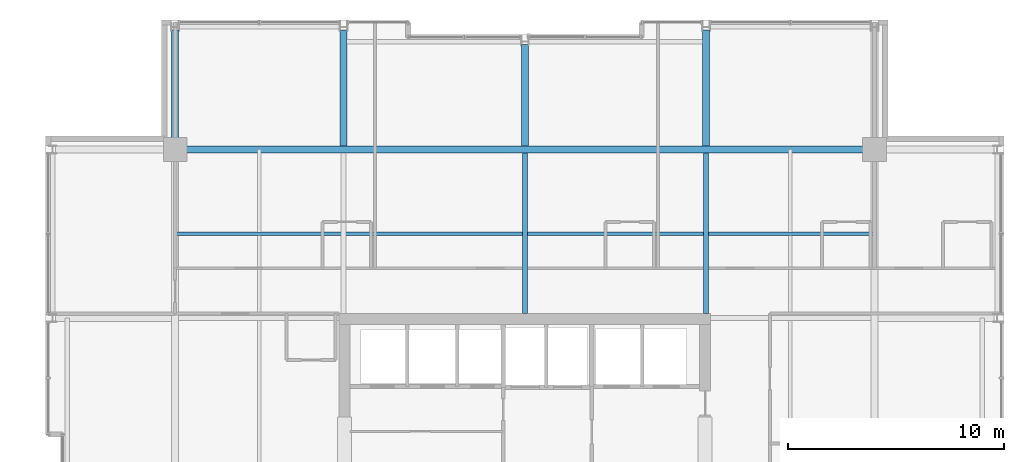
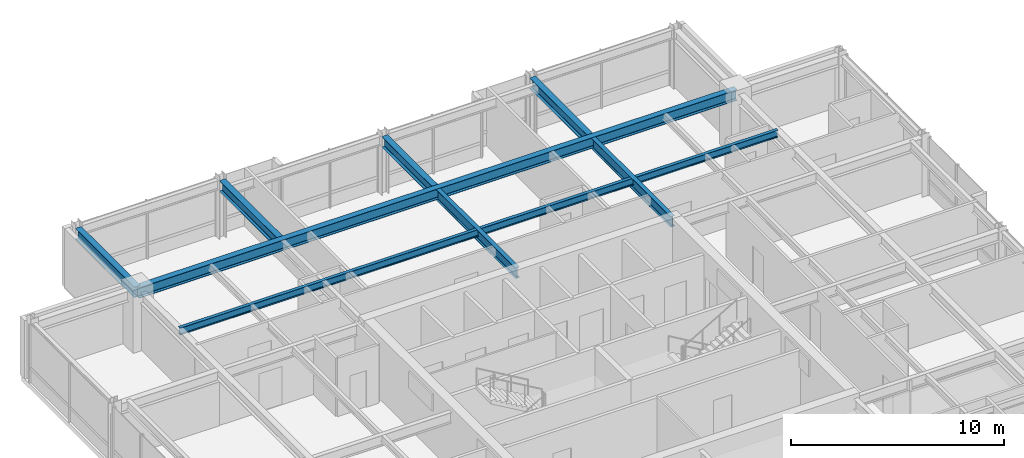
# One storey, part 19 of 32: 8 beams.
"""IFC4 building model written with IfcOpenShell, lengths in metres."""

import ifcopenshell
import ifcopenshell.guid

model = None  # the IFC model being written
_history = None  # IfcOwnerHistory: only IFC2X3 demands one
_inside = {}  # id of a spatial element -> (the spatial element, [elements in it])
_under = {}  # id of a project, library or spatial element -> (it, [spatial elements below it])
_declared = {}  # id of a project -> (the project, [libraries it declares])
_typed = {}  # id of a type object -> (the type object, [elements of that type])
_made_of = {}  # id of a material, layer set ... -> (it, [elements and type objects made of it])


def new_model(schema):
    """Start an empty IFC model of exactly this schema.

    Asked for "IFC4X3", IfcOpenShell would pick the latest addendum, in which some entities
    have other attributes; the version numbers below select the first issue.
    IFC2X3 requires an IfcOwnerHistory on every rooted entity: one is made here for all.
    """
    global model, _history
    if schema == "IFC4X3":
        model = ifcopenshell.file(schema_version=(4, 3, 0, 0))
    else:
        model = ifcopenshell.file(schema=schema)
    _inside.clear()
    _under.clear()
    _declared.clear()
    _typed.clear()
    _made_of.clear()
    _history = None
    if model.schema == "IFC2X3":
        org = make("IfcOrganization", Name="unknown")
        user = make(
            "IfcPersonAndOrganization",
            ThePerson=make("IfcPerson", FamilyName="unknown"),
            TheOrganization=org,
        )
        app = make(
            "IfcApplication",
            ApplicationDeveloper=org,
            Version="unknown",
            ApplicationFullName="unknown",
            ApplicationIdentifier="unknown",
        )
        _history = make(
            "IfcOwnerHistory",
            OwningUser=user,
            OwningApplication=app,
            ChangeAction="ADDED",
            CreationDate=0,
        )
    return model


def make(cls, **values):
    """One entity of the class cls with the attributes given. An attribute that is None is left unset."""
    return model.create_entity(
        cls, **{name: value for name, value in values.items() if value is not None}
    )


def rooted(cls, **values):
    """An entity with a GlobalId (a new one), such as an element, a storey or a relation."""
    return make(cls, GlobalId=ifcopenshell.guid.new(), OwnerHistory=_history, **values)


def si_unit(unit_type, name, prefix=None):
    """IfcSIUnit, for example si_unit("LENGTHUNIT", "METRE", prefix="MILLI")."""
    return make("IfcSIUnit", UnitType=unit_type, Prefix=prefix, Name=name)


def assignment(units):
    """IfcUnitAssignment: the units of a project."""
    return None if units is None else make("IfcUnitAssignment", Units=units)


def point(xyz):
    """IfcCartesianPoint."""
    return None if xyz is None else make("IfcCartesianPoint", Coordinates=xyz)


def direction(xyz):
    """IfcDirection."""
    return None if xyz is None else make("IfcDirection", DirectionRatios=xyz)


def frame(location, z_axis=None, x_axis=None):
    """IfcAxis2Placement3D, a coordinate frame: its origin and axes. An axis left out is left unset."""
    return make(
        "IfcAxis2Placement3D",
        Location=point(location),
        Axis=direction(z_axis),
        RefDirection=direction(x_axis),
    )


def frame_2d(location, x_axis=None):
    """IfcAxis2Placement2D, a coordinate frame in the plane: its origin and x axis."""
    return make(
        "IfcAxis2Placement2D", Location=point(location), RefDirection=direction(x_axis)
    )


def origin():
    """The frame at (0, 0, 0) with its axes left unset."""
    return frame((0.0, 0.0, 0.0))


def origin_2d():
    """The frame at (0, 0) in the plane with its x axis left unset."""
    return frame_2d((0.0, 0.0))


def place(relative_to, where):
    """IfcLocalPlacement: puts the frame where relative to a parent placement (None: the world)."""
    return make(
        "IfcLocalPlacement", PlacementRelTo=relative_to, RelativePlacement=where
    )


def context(
    kind, dimensions, precision=None, world=None, true_north=None, identifier=None
):
    """IfcGeometricRepresentationContext, for example the 3D "Model" context."""
    return make(
        "IfcGeometricRepresentationContext",
        ContextIdentifier=identifier,
        ContextType=kind,
        CoordinateSpaceDimension=dimensions,
        Precision=precision,
        WorldCoordinateSystem=world,
        TrueNorth=true_north,
    )


def subcontext(parent, identifier, kind, view, scale=None):
    """IfcGeometricRepresentationSubContext, for example "Body" below "Model"."""
    return make(
        "IfcGeometricRepresentationSubContext",
        ContextIdentifier=identifier,
        ContextType=kind,
        ParentContext=parent,
        TargetScale=scale,
        TargetView=view,
    )


def project(units=None, contexts=None):
    """IfcProject with its units and contexts."""
    return rooted(
        "IfcProject",
        Name="project",
        RepresentationContexts=contexts,
        UnitsInContext=assignment(units),
    )


def spatial(cls, under=None, at=None, **own):
    """A site, building, storey or space (cls), placed at a placement, below another one or the project."""
    s = rooted(cls, ObjectPlacement=at, **own)
    if under is not None:
        _under.setdefault(under.id(), (under, []))[1].append(s)
    return s


def profile(cls, at=None, kind="AREA", **sizes):
    """A parametric profile (cls). Its sizes go by their IFC names, for example OverallWidth=200.0."""
    return make(cls, ProfileType=kind, Position=at, **sizes)


def i_section(**sizes):
    """IfcIShapeProfileDef."""
    return profile("IfcIShapeProfileDef", **sizes)


def extrude(swept, where, along, depth):
    """IfcExtrudedAreaSolid: the profile swept, set in the frame where, extruded along a direction by depth."""
    return make(
        "IfcExtrudedAreaSolid",
        SweptArea=swept,
        Position=where,
        ExtrudedDirection=direction(along),
        Depth=depth,
    )


def shape(context_of_items, identifier, shape_type, items):
    """IfcShapeRepresentation: the items that make up one representation, for example the "Body"."""
    return make(
        "IfcShapeRepresentation",
        ContextOfItems=context_of_items,
        RepresentationIdentifier=identifier,
        RepresentationType=shape_type,
        Items=items,
    )


def material(Name=None, Category=None):
    """IfcMaterial."""
    return make("IfcMaterial", Name=Name, Category=Category)


def material_profile(
    of_material, cross_section, Name=None, Category=None, Priority=None
):
    """IfcMaterialProfile: a cross section and its material."""
    return make(
        "IfcMaterialProfile",
        Name=Name,
        Material=of_material,
        Profile=cross_section,
        Priority=Priority,
        Category=Category,
    )


def profile_set(profiles, Name=None, composite=None):
    """IfcMaterialProfileSet."""
    return make(
        "IfcMaterialProfileSet",
        Name=Name,
        MaterialProfiles=profiles,
        CompositeProfile=composite,
    )


def made_of(thing, what):
    """Note that an element or type object is made of a material, layer set ...; save() writes the relation."""
    if what is not None:
        _made_of.setdefault(what.id(), (what, []))[1].append(thing)
    return thing


def type_object(cls, material=None, **own):
    """A type object (cls), such as IfcWallType, which elements share."""
    return made_of(rooted(cls, **own), material)


def element(
    cls,
    number,
    at=None,
    inside=None,
    cuts=None,
    type_object=None,
    material=None,
    context=None,
    identifier="Body",
    shape_type=None,
    held_by="IfcProductDefinitionShape",
    body=None,
    shapes=None,
    **own,
):
    """One element of the class cls, such as IfcWall. Its Tag is "e" and its number.

    at: its placement. inside: the storey or other place that contains it. cuts: it is an
    opening in that element (IfcRelVoidsElement). A single representation is given by context,
    identifier, shape_type and body (its items); several are given by shapes. held_by: the class
    of the entity that holds the representations. save() writes the other relations.
    """
    e = rooted(cls, Tag="e%d" % number, ObjectPlacement=at, **own)
    if body is not None:
        shapes = [shape(context, identifier, shape_type, body)]
    if shapes is not None:
        e.Representation = make(held_by, Representations=shapes)
    if inside is not None:
        _inside.setdefault(inside.id(), (inside, []))[1].append(e)
    if cuts is not None:
        rooted(
            "IfcRelVoidsElement", RelatingBuildingElement=cuts, RelatedOpeningElement=e
        )
    if type_object is not None:
        _typed.setdefault(type_object.id(), (type_object, []))[1].append(e)
    return made_of(e, material)


def aggregate(whole, parts):
    """IfcRelAggregates: a whole, such as a stair, and the parts it consists of."""
    return rooted("IfcRelAggregates", RelatingObject=whole, RelatedObjects=parts)


def save(model, path):
    """Write the relations noted so far, then the file.

    IfcRelAggregates (storeys below a building ...), IfcRelContainedInSpatialStructure (elements
    in a storey), IfcRelDefinesByType, IfcRelAssociatesMaterial and IfcRelDeclares: one each for
    every whole, place, type object, material and project.
    """
    for whole, parts in _under.values():
        aggregate(whole, parts)
    for where, things in _inside.values():
        rooted(
            "IfcRelContainedInSpatialStructure",
            RelatedElements=things,
            RelatingStructure=where,
        )
    for kind, things in _typed.values():
        rooted("IfcRelDefinesByType", RelatedObjects=things, RelatingType=kind)
    for what, things in _made_of.values():
        rooted("IfcRelAssociatesMaterial", RelatedObjects=things, RelatingMaterial=what)
    for by, libraries in _declared.values():
        rooted("IfcRelDeclares", RelatingContext=by, RelatedDefinitions=libraries)
    model.write(path)


model = new_model("IFC4")

# Units and contexts
model_context = context("Model", 3, precision=1e-05, world=origin(), true_north=direction((0.0, 1.0)))
body_context = subcontext(model_context, "Body", "Model", "MODEL_VIEW")
ifc_project = project(units=[si_unit("LENGTHUNIT", "METRE"), si_unit("AREAUNIT", "SQUARE_METRE"), si_unit("VOLUMEUNIT", "CUBIC_METRE"), si_unit("PLANEANGLEUNIT", "RADIAN"), si_unit("MASSUNIT", "GRAM", prefix="KILO")], contexts=[model_context])

# Site, building, storey
site_placement = place(None, origin())
site = spatial("IfcSite", under=ifc_project, at=site_placement, CompositionType="ELEMENT")
building_placement = place(site_placement, origin())
building = spatial("IfcBuilding", under=site, at=building_placement, Name="Drelvath Grand Hotel", CompositionType="ELEMENT")
storey_placement = place(building_placement, frame((0.0, 0.0, 233.89990234375)))
storey = spatial("IfcBuildingStorey", under=building, at=storey_placement, Name="L61", CompositionType="ELEMENT", Elevation=233.89990234375)

# Beams
ifc_material = material(Name="Steel ASTM A992 Gr 50", Category="steel")
ifc_material_profile_1 = material_profile(ifc_material, i_section(OverallWidth=0.177734375, OverallDepth=0.40673828125, WebThickness=0.0078125, FlangeThickness=0.0126953125, FilletRadius=0.014892578125, at=origin_2d()), Name="W16X40")
ifc_profile_set_1 = profile_set([ifc_material_profile_1], Name="Steel ASTM A992 Gr 50")
beam_type_1 = type_object("IfcBeamType", Name="Composite Floor Joist W16X40", PredefinedType="JOIST", material=ifc_profile_set_1)
beam_1_placement = place(storey_placement, frame((-16.199951171875, 39.300048828125, 3.13671875), z_axis=(1.0, 0.0, 0.0), x_axis=(0.0, 1.0, 0.0)))
element("IfcBeam", 1, at=beam_1_placement, inside=storey, type_object=beam_type_1, Name="L61 Floor Joist J2", PredefinedType="JOIST", context=body_context, shape_type="SweptSolid", body=[
    extrude(i_section(OverallWidth=0.177734375, OverallDepth=0.40673828125, WebThickness=0.0078125, FlangeThickness=0.0126953125, FilletRadius=0.014892578125, at=origin_2d()), origin(), (0.0, 0.0, 1.0), 32.39990234375),
])
ifc_material_profile_2 = material_profile(ifc_material, i_section(OverallWidth=0.323974609375, OverallDepth=0.611083984375, WebThickness=0.0126953125, FlangeThickness=0.01904296875, FilletRadius=0.02197265625, at=origin_2d()), Name="W24X104")
ifc_profile_set_2 = profile_set([ifc_material_profile_2], Name="Steel ASTM A992 Gr 50")
beam_type_2 = type_object("IfcBeamType", Name="Primary Floor Girder W24X104", PredefinedType="BEAM", material=ifc_profile_set_2)
beam_2_placement = place(storey_placement, frame((-16.199951171875, 43.199951171875, 3.034423828125), z_axis=(1.0, 0.0, 0.0), x_axis=(0.0, 1.0, 0.0)))
element("IfcBeam", 2, at=beam_2_placement, inside=storey, type_object=beam_type_2, Name="L61 Mega Ring Girder North", PredefinedType="BEAM", context=body_context, shape_type="SweptSolid", body=[
    extrude(i_section(OverallWidth=0.323974609375, OverallDepth=0.611083984375, WebThickness=0.0126953125, FlangeThickness=0.01904296875, FilletRadius=0.02197265625, at=origin_2d()), origin(), (0.0, 0.0, 1.0), 32.39990234375),
])
beam_3_placement = place(storey_placement, frame((-16.199951171875, 43.199951171875, 3.034423828125), z_axis=(0.0, 1.0, 0.0), x_axis=(-1.0, 0.0, 0.0)))
element("IfcBeam", 3, at=beam_3_placement, inside=storey, type_object=beam_type_2, Name="L61 North Grid Girder 3", PredefinedType="BEAM", context=body_context, shape_type="SweptSolid", body=[
    extrude(i_section(OverallWidth=0.323974609375, OverallDepth=0.611083984375, WebThickness=0.0126953125, FlangeThickness=0.01904296875, FilletRadius=0.02197265625, at=origin_2d()), origin(), (0.0, 0.0, 1.0), 5.5400390625),
])
beam_4_placement = place(storey_placement, frame((-8.39990234375, 43.362060546875, 3.034423828125), z_axis=(0.0, 1.0, 0.0), x_axis=(-1.0, 0.0, 0.0)))
element("IfcBeam", 4, at=beam_4_placement, inside=storey, type_object=beam_type_2, Name="L61 North Wing Girder 4", PredefinedType="BEAM", context=body_context, shape_type="SweptSolid", body=[
    extrude(i_section(OverallWidth=0.323974609375, OverallDepth=0.611083984375, WebThickness=0.0126953125, FlangeThickness=0.01904296875, FilletRadius=0.02197265625, at=origin_2d()), origin(), (0.0, 0.0, 1.0), 5.3779296875),
])
beam_5_placement = place(storey_placement, frame((0.0, 43.362060546875, 3.034423828125), z_axis=(0.0, 1.0, 0.0), x_axis=(-1.0, 0.0, 0.0)))
element("IfcBeam", 5, at=beam_5_placement, inside=storey, type_object=beam_type_2, Name="L61 North Wing Girder 5", PredefinedType="BEAM", context=body_context, shape_type="SweptSolid", body=[
    extrude(i_section(OverallWidth=0.323974609375, OverallDepth=0.611083984375, WebThickness=0.0126953125, FlangeThickness=0.01904296875, FilletRadius=0.02197265625, at=origin_2d()), origin(), (0.0, 0.0, 1.0), 4.697998046875),
])
beam_6_placement = place(storey_placement, frame((8.39990234375, 43.362060546875, 3.034423828125), z_axis=(0.0, 1.0, 0.0), x_axis=(-1.0, 0.0, 0.0)))
element("IfcBeam", 6, at=beam_6_placement, inside=storey, type_object=beam_type_2, Name="L61 North Wing Girder 6", PredefinedType="BEAM", context=body_context, shape_type="SweptSolid", body=[
    extrude(i_section(OverallWidth=0.323974609375, OverallDepth=0.611083984375, WebThickness=0.0126953125, FlangeThickness=0.01904296875, FilletRadius=0.02197265625, at=origin_2d()), origin(), (0.0, 0.0, 1.0), 5.3779296875),
])
ifc_material_profile_3 = material_profile(ifc_material, i_section(OverallWidth=0.228271484375, OverallDepth=0.607666015625, WebThickness=0.01123046875, FlangeThickness=0.017333984375, FilletRadius=0.02001953125, at=origin_2d()), Name="W24X76")
ifc_profile_set_3 = profile_set([ifc_material_profile_3], Name="Steel ASTM A992 Gr 50")
beam_type_3 = type_object("IfcBeamType", Name="Primary Floor Girder W24X76", PredefinedType="BEAM", material=ifc_profile_set_3)
for number, where, z_axis, x_axis, name in (
    (7, (0.0, 35.60009765625, 3.036376953125), (0.0, 1.0, 0.0), (-1.0, 0.0, 0.0), "L61 North Core Tie 5"),
    (8, (8.39990234375, 35.60009765625, 3.036376953125), (0.0, 1.0, 0.0), (-1.0, 0.0, 0.0), "L61 North Core Tie 6"),
):
    element("IfcBeam", number, at=place(storey_placement, frame(where, z_axis=z_axis, x_axis=x_axis)), inside=storey, type_object=beam_type_3, Name=name, PredefinedType="BEAM", context=body_context, shape_type="SweptSolid", body=[
        extrude(i_section(OverallWidth=0.228271484375, OverallDepth=0.607666015625, WebThickness=0.01123046875, FlangeThickness=0.017333984375, FilletRadius=0.02001953125, at=origin_2d()), origin(), (0.0, 0.0, 1.0), 7.43798828125),
    ])

save(model, "model.ifc")
